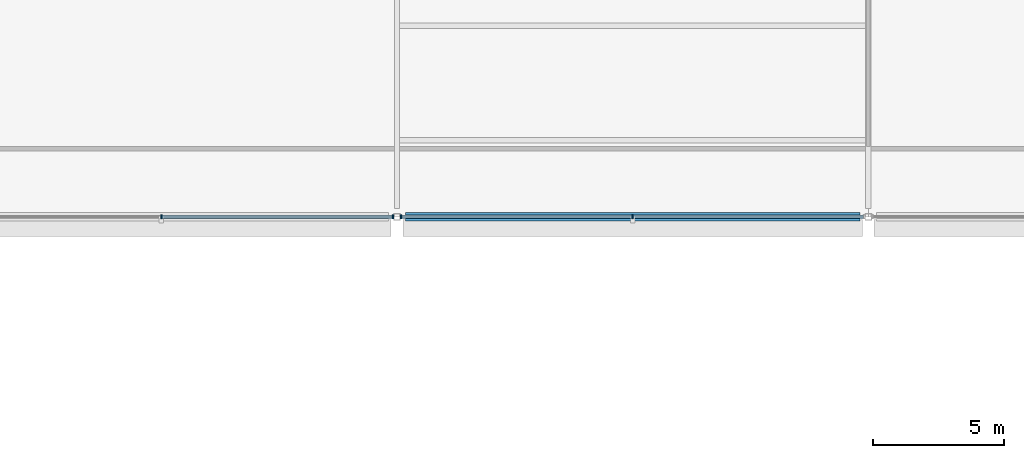
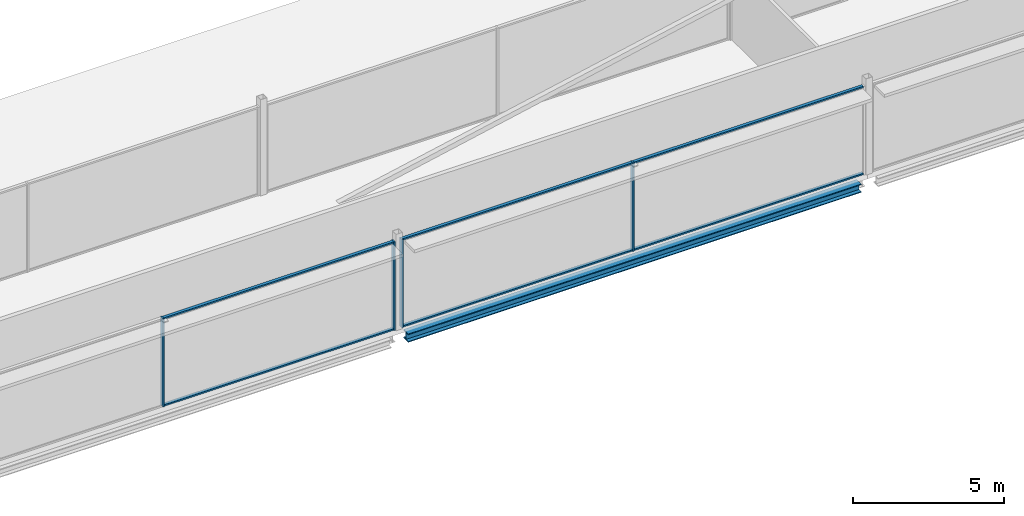
# One storey, part 22 of 105: 10 members, 1 beam, 2 elements without a shape of their own.
"""IFC4 building model written with IfcOpenShell, lengths in metres."""

import ifcopenshell
import ifcopenshell.guid

model = None  # the IFC model being written
_history = None  # IfcOwnerHistory: only IFC2X3 demands one
_inside = {}  # id of a spatial element -> (the spatial element, [elements in it])
_under = {}  # id of a project, library or spatial element -> (it, [spatial elements below it])
_declared = {}  # id of a project -> (the project, [libraries it declares])
_typed = {}  # id of a type object -> (the type object, [elements of that type])
_made_of = {}  # id of a material, layer set ... -> (it, [elements and type objects made of it])


def new_model(schema):
    """Start an empty IFC model of exactly this schema.

    Asked for "IFC4X3", IfcOpenShell would pick the latest addendum, in which some entities
    have other attributes; the version numbers below select the first issue.
    IFC2X3 requires an IfcOwnerHistory on every rooted entity: one is made here for all.
    """
    global model, _history
    if schema == "IFC4X3":
        model = ifcopenshell.file(schema_version=(4, 3, 0, 0))
    else:
        model = ifcopenshell.file(schema=schema)
    _inside.clear()
    _under.clear()
    _declared.clear()
    _typed.clear()
    _made_of.clear()
    _history = None
    if model.schema == "IFC2X3":
        org = make("IfcOrganization", Name="unknown")
        user = make(
            "IfcPersonAndOrganization",
            ThePerson=make("IfcPerson", FamilyName="unknown"),
            TheOrganization=org,
        )
        app = make(
            "IfcApplication",
            ApplicationDeveloper=org,
            Version="unknown",
            ApplicationFullName="unknown",
            ApplicationIdentifier="unknown",
        )
        _history = make(
            "IfcOwnerHistory",
            OwningUser=user,
            OwningApplication=app,
            ChangeAction="ADDED",
            CreationDate=0,
        )
    return model


def make(cls, **values):
    """One entity of the class cls with the attributes given. An attribute that is None is left unset."""
    return model.create_entity(
        cls, **{name: value for name, value in values.items() if value is not None}
    )


def rooted(cls, **values):
    """An entity with a GlobalId (a new one), such as an element, a storey or a relation."""
    return make(cls, GlobalId=ifcopenshell.guid.new(), OwnerHistory=_history, **values)


def si_unit(unit_type, name, prefix=None):
    """IfcSIUnit, for example si_unit("LENGTHUNIT", "METRE", prefix="MILLI")."""
    return make("IfcSIUnit", UnitType=unit_type, Prefix=prefix, Name=name)


def assignment(units):
    """IfcUnitAssignment: the units of a project."""
    return None if units is None else make("IfcUnitAssignment", Units=units)


def point(xyz):
    """IfcCartesianPoint."""
    return None if xyz is None else make("IfcCartesianPoint", Coordinates=xyz)


def direction(xyz):
    """IfcDirection."""
    return None if xyz is None else make("IfcDirection", DirectionRatios=xyz)


def frame(location, z_axis=None, x_axis=None):
    """IfcAxis2Placement3D, a coordinate frame: its origin and axes. An axis left out is left unset."""
    return make(
        "IfcAxis2Placement3D",
        Location=point(location),
        Axis=direction(z_axis),
        RefDirection=direction(x_axis),
    )


def frame_2d(location, x_axis=None):
    """IfcAxis2Placement2D, a coordinate frame in the plane: its origin and x axis."""
    return make(
        "IfcAxis2Placement2D", Location=point(location), RefDirection=direction(x_axis)
    )


def origin():
    """The frame at (0, 0, 0) with its axes left unset."""
    return frame((0.0, 0.0, 0.0))


def origin_2d():
    """The frame at (0, 0) in the plane with its x axis left unset."""
    return frame_2d((0.0, 0.0))


def place(relative_to, where):
    """IfcLocalPlacement: puts the frame where relative to a parent placement (None: the world)."""
    return make(
        "IfcLocalPlacement", PlacementRelTo=relative_to, RelativePlacement=where
    )


def context(
    kind, dimensions, precision=None, world=None, true_north=None, identifier=None
):
    """IfcGeometricRepresentationContext, for example the 3D "Model" context."""
    return make(
        "IfcGeometricRepresentationContext",
        ContextIdentifier=identifier,
        ContextType=kind,
        CoordinateSpaceDimension=dimensions,
        Precision=precision,
        WorldCoordinateSystem=world,
        TrueNorth=true_north,
    )


def subcontext(parent, identifier, kind, view, scale=None):
    """IfcGeometricRepresentationSubContext, for example "Body" below "Model"."""
    return make(
        "IfcGeometricRepresentationSubContext",
        ContextIdentifier=identifier,
        ContextType=kind,
        ParentContext=parent,
        TargetScale=scale,
        TargetView=view,
    )


def project(units=None, contexts=None):
    """IfcProject with its units and contexts."""
    return rooted(
        "IfcProject",
        Name="project",
        RepresentationContexts=contexts,
        UnitsInContext=assignment(units),
    )


def spatial(cls, under=None, at=None, **own):
    """A site, building, storey or space (cls), placed at a placement, below another one or the project."""
    s = rooted(cls, ObjectPlacement=at, **own)
    if under is not None:
        _under.setdefault(under.id(), (under, []))[1].append(s)
    return s


def profile(cls, at=None, kind="AREA", **sizes):
    """A parametric profile (cls). Its sizes go by their IFC names, for example OverallWidth=200.0."""
    return make(cls, ProfileType=kind, Position=at, **sizes)


def rectangle(**sizes):
    """IfcRectangleProfileDef."""
    return profile("IfcRectangleProfileDef", **sizes)


def i_section(**sizes):
    """IfcIShapeProfileDef."""
    return profile("IfcIShapeProfileDef", **sizes)


def extrude(swept, where, along, depth):
    """IfcExtrudedAreaSolid: the profile swept, set in the frame where, extruded along a direction by depth."""
    return make(
        "IfcExtrudedAreaSolid",
        SweptArea=swept,
        Position=where,
        ExtrudedDirection=direction(along),
        Depth=depth,
    )


def shape(context_of_items, identifier, shape_type, items):
    """IfcShapeRepresentation: the items that make up one representation, for example the "Body"."""
    return make(
        "IfcShapeRepresentation",
        ContextOfItems=context_of_items,
        RepresentationIdentifier=identifier,
        RepresentationType=shape_type,
        Items=items,
    )


def material(Name=None, Category=None):
    """IfcMaterial."""
    return make("IfcMaterial", Name=Name, Category=Category)


def layer(
    of_material, thickness, ventilated=None, Name=None, Category=None, Priority=None
):
    """IfcMaterialLayer: one layer of a wall or slab, of a material (None: an air gap)."""
    return make(
        "IfcMaterialLayer",
        Material=of_material,
        LayerThickness=thickness,
        IsVentilated=ventilated,
        Name=Name,
        Category=Category,
        Priority=Priority,
    )


def layer_set(layers, Name=None):
    """IfcMaterialLayerSet."""
    return make("IfcMaterialLayerSet", MaterialLayers=layers, LayerSetName=Name)


def material_profile(
    of_material, cross_section, Name=None, Category=None, Priority=None
):
    """IfcMaterialProfile: a cross section and its material."""
    return make(
        "IfcMaterialProfile",
        Name=Name,
        Material=of_material,
        Profile=cross_section,
        Priority=Priority,
        Category=Category,
    )


def profile_set(profiles, Name=None, composite=None):
    """IfcMaterialProfileSet."""
    return make(
        "IfcMaterialProfileSet",
        Name=Name,
        MaterialProfiles=profiles,
        CompositeProfile=composite,
    )


def made_of(thing, what):
    """Note that an element or type object is made of a material, layer set ...; save() writes the relation."""
    if what is not None:
        _made_of.setdefault(what.id(), (what, []))[1].append(thing)
    return thing


def type_object(cls, material=None, **own):
    """A type object (cls), such as IfcWallType, which elements share."""
    return made_of(rooted(cls, **own), material)


def element(
    cls,
    number,
    at=None,
    inside=None,
    cuts=None,
    type_object=None,
    material=None,
    context=None,
    identifier="Body",
    shape_type=None,
    held_by="IfcProductDefinitionShape",
    body=None,
    shapes=None,
    **own,
):
    """One element of the class cls, such as IfcWall. Its Tag is "e" and its number.

    at: its placement. inside: the storey or other place that contains it. cuts: it is an
    opening in that element (IfcRelVoidsElement). A single representation is given by context,
    identifier, shape_type and body (its items); several are given by shapes. held_by: the class
    of the entity that holds the representations. save() writes the other relations.
    """
    e = rooted(cls, Tag="e%d" % number, ObjectPlacement=at, **own)
    if body is not None:
        shapes = [shape(context, identifier, shape_type, body)]
    if shapes is not None:
        e.Representation = make(held_by, Representations=shapes)
    if inside is not None:
        _inside.setdefault(inside.id(), (inside, []))[1].append(e)
    if cuts is not None:
        rooted(
            "IfcRelVoidsElement", RelatingBuildingElement=cuts, RelatedOpeningElement=e
        )
    if type_object is not None:
        _typed.setdefault(type_object.id(), (type_object, []))[1].append(e)
    return made_of(e, material)


def aggregate(whole, parts):
    """IfcRelAggregates: a whole, such as a stair, and the parts it consists of."""
    return rooted("IfcRelAggregates", RelatingObject=whole, RelatedObjects=parts)


def save(model, path):
    """Write the relations noted so far, then the file.

    IfcRelAggregates (storeys below a building ...), IfcRelContainedInSpatialStructure (elements
    in a storey), IfcRelDefinesByType, IfcRelAssociatesMaterial and IfcRelDeclares: one each for
    every whole, place, type object, material and project.
    """
    for whole, parts in _under.values():
        aggregate(whole, parts)
    for where, things in _inside.values():
        rooted(
            "IfcRelContainedInSpatialStructure",
            RelatedElements=things,
            RelatingStructure=where,
        )
    for kind, things in _typed.values():
        rooted("IfcRelDefinesByType", RelatedObjects=things, RelatingType=kind)
    for what, things in _made_of.values():
        rooted("IfcRelAssociatesMaterial", RelatedObjects=things, RelatingMaterial=what)
    for by, libraries in _declared.values():
        rooted("IfcRelDeclares", RelatingContext=by, RelatedDefinitions=libraries)
    model.write(path)


model = new_model("IFC4")

# Units and contexts
model_context = context("Model", 3, precision=1e-05, world=origin(), true_north=direction((0.0, 1.0)))
body_context = subcontext(model_context, "Body", "Model", "MODEL_VIEW")
ifc_project = project(units=[si_unit("LENGTHUNIT", "METRE"), si_unit("AREAUNIT", "SQUARE_METRE"), si_unit("VOLUMEUNIT", "CUBIC_METRE"), si_unit("PLANEANGLEUNIT", "RADIAN"), si_unit("MASSUNIT", "GRAM", prefix="KILO")], contexts=[model_context])

# Site, building, storey
site_placement = place(None, origin())
site = spatial("IfcSite", under=ifc_project, at=site_placement, CompositionType="ELEMENT")
building_placement = place(site_placement, origin())
building = spatial("IfcBuilding", under=site, at=building_placement, Name="Kisiwana Market Hall", CompositionType="ELEMENT")
storey_placement = place(building_placement, frame((0.0, 0.0, 21.60009765625)))
storey = spatial("IfcBuildingStorey", under=building, at=storey_placement, Name="L04", CompositionType="ELEMENT", Elevation=21.60009765625)

# Beam
ifc_material_1 = material(Name="Steel S355", Category="steel")
ifc_material_profile_1 = material_profile(ifc_material_1, i_section(OverallWidth=0.314453125, OverallDepth=0.33984375, WebThickness=0.01904296875, FlangeThickness=0.031494140625, at=origin_2d()), Name="UC 305x305x198")
ifc_profile_set_1 = profile_set([ifc_material_profile_1], Name="Steel S355")
beam_type = type_object("IfcBeamType", Name="BM-SKYBR-CHORD", PredefinedType="BEAM", material=ifc_profile_set_1)
beam_placement = place(storey_placement, frame((81.321044921875, 18.0, -0.43505859375), z_axis=(1.0, 0.0, 0.0), x_axis=(0.0, 1.0, 0.0)))
element("IfcBeam", 1, at=beam_placement, inside=storey, type_object=beam_type, Name="Floor beam B-1429", PredefinedType="BEAM", context=body_context, shape_type="SweptSolid", body=[
    extrude(i_section(OverallWidth=0.314453125, OverallDepth=0.33984375, WebThickness=0.01904296875, FlangeThickness=0.031494140625, at=origin_2d()), origin(), (0.0, 0.0, 1.0), 17.35791015625),
])

# Curtain wall, members
ifc_material_2 = material(Name="Double-glazed solar-control low-E IGU", Category="glass")
ifc_layer = layer(ifc_material_2, 0.159912109375)
ifc_layer_set = layer_set([ifc_layer], Name="CW-ZNA-EW-8200")
curtain_wall_type = type_object("IfcCurtainWallType", Name="CW-ZNA-EW-8200", PredefinedType="USERDEFINED", material=ifc_layer_set)
curtain_wall_1_placement = place(storey_placement, origin())
curtain_wall_1 = element("IfcCurtainWall", 2, at=curtain_wall_1_placement, inside=storey, type_object=curtain_wall_type, Name="Unitised curtain wall CW-093 (L04)", ObjectType="UNITISED CURTAIN WALL", PredefinedType="USERDEFINED")
ifc_material_3 = material(Name="Aluminium alloy 6063-T6", Category="aluminium")
ifc_material_profile_2 = material_profile(ifc_material_3, rectangle(XDim=0.06005859375, YDim=0.159912109375, at=origin_2d()), Name="ALU MULLION 60x160")
ifc_profile_set_2 = profile_set([ifc_material_profile_2], Name="Aluminium alloy 6063-T6")
member_type_1 = type_object("IfcMemberType", Name="CW-MULL-60x160", PredefinedType="MULLION", material=ifc_profile_set_2)
member_1_placement = place(storey_placement, frame((72.0, 18.0, 0.0), z_axis=(0.0, 0.0, 1.0), x_axis=(1.0, 0.0, 0.0)))
member_1 = element("IfcMember", 3, at=member_1_placement, type_object=member_type_1, Name="CW-093 mullion 2", PredefinedType="MULLION", context=body_context, shape_type="SweptSolid", body=[
    extrude(rectangle(XDim=0.06005859375, YDim=0.159912109375, at=origin_2d()), origin(), (0.0, 0.0, 1.0), 3.5849609375),
])
member_2_placement = place(storey_placement, frame((80.844970703125, 18.0, 0.0), z_axis=(0.0, 0.0, 1.0), x_axis=(1.0, 0.0, 0.0)))
member_2 = element("IfcMember", 4, at=member_2_placement, type_object=member_type_1, Name="CW-093 mullion 3", PredefinedType="MULLION", context=body_context, shape_type="SweptSolid", body=[
    extrude(rectangle(XDim=0.06005859375, YDim=0.159912109375, at=origin_2d()), origin(), (0.0, 0.0, 1.0), 3.5849609375),
])

curtain_wall_2_placement = place(storey_placement, origin())
curtain_wall_2 = element("IfcCurtainWall", 5, at=curtain_wall_2_placement, inside=storey, type_object=curtain_wall_type, Name="Unitised curtain wall CW-094 (L04)", ObjectType="UNITISED CURTAIN WALL", PredefinedType="USERDEFINED")
member_3_placement = place(storey_placement, frame((81.155029296875, 18.0, 0.0), z_axis=(0.0, 0.0, 1.0), x_axis=(1.0, 0.0, 0.0)))
member_3 = element("IfcMember", 6, at=member_3_placement, type_object=member_type_1, Name="CW-094 mullion 1", PredefinedType="MULLION", context=body_context, shape_type="SweptSolid", body=[
    extrude(rectangle(XDim=0.06005859375, YDim=0.159912109375, at=origin_2d()), origin(), (0.0, 0.0, 1.0), 3.5849609375),
])
member_4_placement = place(storey_placement, frame((90.0, 18.0, 0.0), z_axis=(0.0, 0.0, 1.0), x_axis=(1.0, 0.0, 0.0)))
member_4 = element("IfcMember", 7, at=member_4_placement, type_object=member_type_1, Name="CW-094 mullion 2", PredefinedType="MULLION", context=body_context, shape_type="SweptSolid", body=[
    extrude(rectangle(XDim=0.06005859375, YDim=0.159912109375, at=origin_2d()), origin(), (0.0, 0.0, 1.0), 3.5849609375),
])

# Member
ifc_material_4 = material(Name="Aluminium alloy 6063-T6", Category="aluminium")
ifc_material_profile_3 = material_profile(ifc_material_4, rectangle(XDim=0.1201171875, YDim=0.06005859375, at=origin_2d()), Name="ALU TRANSOM 60x120")
ifc_profile_set_3 = profile_set([ifc_material_profile_3], Name="Aluminium alloy 6063-T6")
member_type_2 = type_object("IfcMemberType", Name="CW-TRAN-60x120", PredefinedType="USERDEFINED", material=ifc_profile_set_3)
member_5_placement = place(storey_placement, frame((72.030029296875, 18.0, 0.02978515625), z_axis=(1.0, 0.0, 0.0), x_axis=(0.0, 1.0, 0.0)))
member_5 = element("IfcMember", 8, at=member_5_placement, type_object=member_type_2, Name="CW-093 transom 2.1", ObjectType="TRANSOM", PredefinedType="USERDEFINED", context=body_context, shape_type="SweptSolid", body=[
    extrude(rectangle(XDim=0.1201171875, YDim=0.06005859375, at=origin_2d()), origin(), (0.0, 0.0, 1.0), 8.784912109375),
])

member_6_placement = place(storey_placement, frame((72.030029296875, 18.0, 3.554931640625), z_axis=(1.0, 0.0, 0.0), x_axis=(0.0, 1.0, 0.0)))
member_6 = element("IfcMember", 9, at=member_6_placement, type_object=member_type_2, Name="CW-093 transom 2.2", ObjectType="TRANSOM", PredefinedType="USERDEFINED", context=body_context, shape_type="SweptSolid", body=[
    extrude(rectangle(XDim=0.1201171875, YDim=0.06005859375, at=origin_2d()), origin(), (0.0, 0.0, 1.0), 8.784912109375),
])

aggregate(curtain_wall_1, [member_1, member_2, member_5, member_6])

member_7_placement = place(storey_placement, frame((81.18505859375, 18.0, 0.02978515625), z_axis=(1.0, 0.0, 0.0), x_axis=(0.0, 1.0, 0.0)))
member_7 = element("IfcMember", 10, at=member_7_placement, type_object=member_type_2, Name="CW-094 transom 1.1", ObjectType="TRANSOM", PredefinedType="USERDEFINED", context=body_context, shape_type="SweptSolid", body=[
    extrude(rectangle(XDim=0.1201171875, YDim=0.06005859375, at=origin_2d()), origin(), (0.0, 0.0, 1.0), 8.784912109375),
])

member_8_placement = place(storey_placement, frame((81.18505859375, 18.0, 3.554931640625), z_axis=(1.0, 0.0, 0.0), x_axis=(0.0, 1.0, 0.0)))
member_8 = element("IfcMember", 11, at=member_8_placement, type_object=member_type_2, Name="CW-094 transom 1.2", ObjectType="TRANSOM", PredefinedType="USERDEFINED", context=body_context, shape_type="SweptSolid", body=[
    extrude(rectangle(XDim=0.1201171875, YDim=0.06005859375, at=origin_2d()), origin(), (0.0, 0.0, 1.0), 8.784912109375),
])

member_9_placement = place(storey_placement, frame((90.030029296875, 18.0, 0.02978515625), z_axis=(1.0, 0.0, 0.0), x_axis=(0.0, 1.0, 0.0)))
member_9 = element("IfcMember", 12, at=member_9_placement, type_object=member_type_2, Name="CW-094 transom 2.1", ObjectType="TRANSOM", PredefinedType="USERDEFINED", context=body_context, shape_type="SweptSolid", body=[
    extrude(rectangle(XDim=0.1201171875, YDim=0.06005859375, at=origin_2d()), origin(), (0.0, 0.0, 1.0), 8.784912109375),
])

member_10_placement = place(storey_placement, frame((90.030029296875, 18.0, 3.554931640625), z_axis=(1.0, 0.0, 0.0), x_axis=(0.0, 1.0, 0.0)))
member_10 = element("IfcMember", 13, at=member_10_placement, type_object=member_type_2, Name="CW-094 transom 2.2", ObjectType="TRANSOM", PredefinedType="USERDEFINED", context=body_context, shape_type="SweptSolid", body=[
    extrude(rectangle(XDim=0.1201171875, YDim=0.06005859375, at=origin_2d()), origin(), (0.0, 0.0, 1.0), 8.784912109375),
])

aggregate(curtain_wall_2, [member_3, member_4, member_7, member_8, member_9, member_10])

save(model, "model.ifc")
